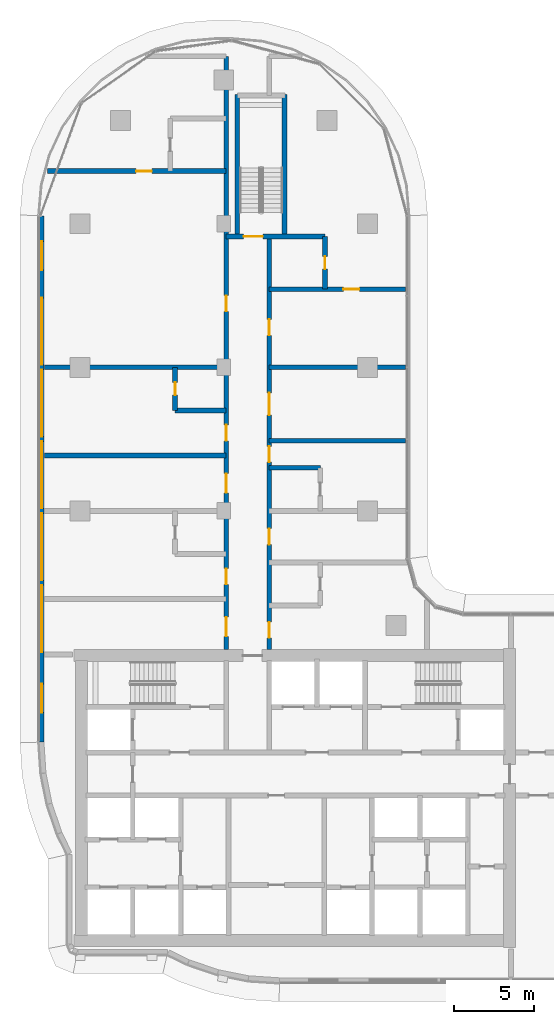
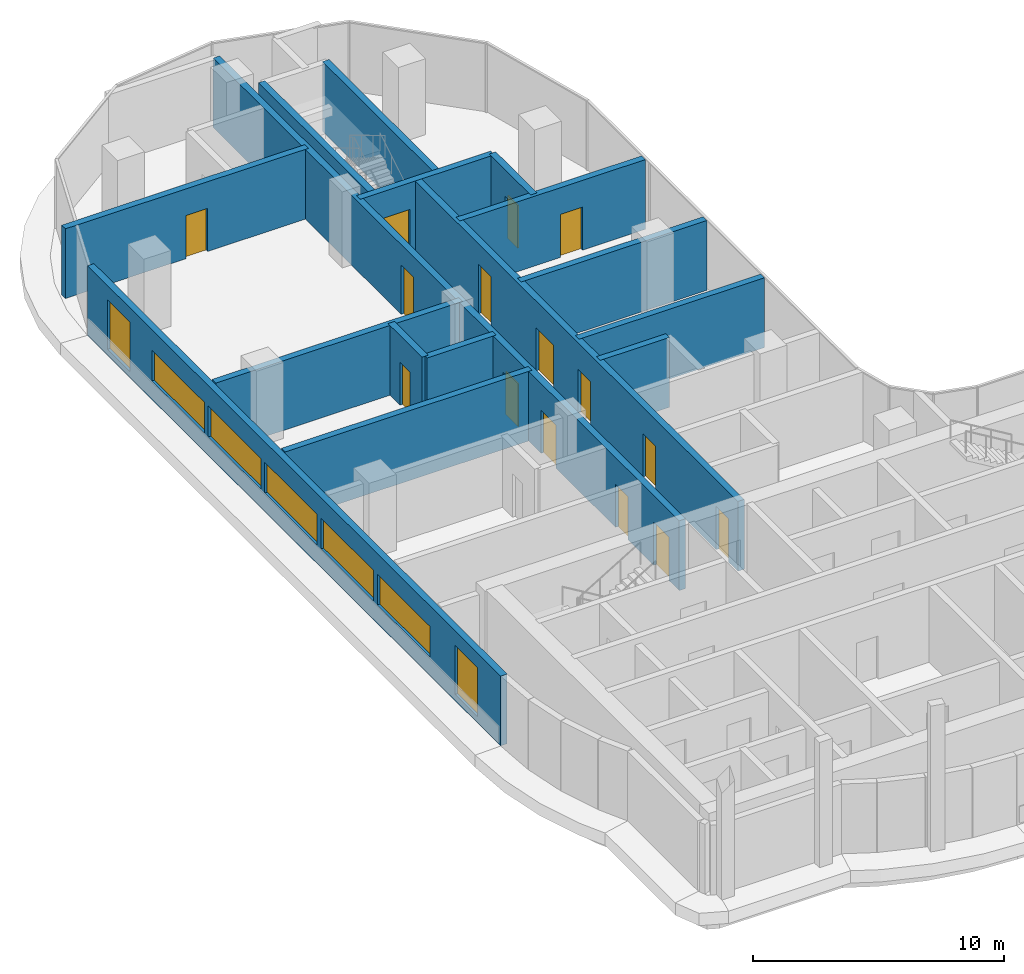
# One storey, part 14 of 25: 16 walls, 15 doors, 7 windows, 22 openings.
"""IFC4 building model written with IfcOpenShell, lengths in metres."""

from ifc_helpers import new_model, si_unit, direction, frame, frame_2d, origin, place, context, subcontext, project, spatial, rectangle, extrude, material, layer, layer_set, type_object, element, fill, save


model = new_model("IFC4")

# Units and contexts
model_context = context("Model", 3, precision=1e-05, world=origin(), true_north=direction((0.0, 1.0)))
body_context = subcontext(model_context, "Body", "Model", "MODEL_VIEW")
ifc_project = project(units=[si_unit("LENGTHUNIT", "METRE"), si_unit("AREAUNIT", "SQUARE_METRE"), si_unit("VOLUMEUNIT", "CUBIC_METRE"), si_unit("PLANEANGLEUNIT", "RADIAN"), si_unit("MASSUNIT", "GRAM", prefix="KILO")], contexts=[model_context])

# Site, building, storey
site_placement = place(None, origin())
site = spatial("IfcSite", under=ifc_project, at=site_placement, CompositionType="ELEMENT")
building_placement = place(site_placement, origin())
building = spatial("IfcBuilding", under=site, at=building_placement, Name="Ogive Portal Towers", CompositionType="ELEMENT")
storey_placement = place(building_placement, frame((0.0, 0.0, 116.699951171875)))
storey = spatial("IfcBuildingStorey", under=building, at=storey_placement, Name="L28", CompositionType="ELEMENT", Elevation=116.699951171875)

# Wall, openings, windows
ifc_material_1 = material(Name="Limestone cladding on lightweight block wall", Category="masonry")
ifc_layer_1 = layer(ifc_material_1, 0.300048828125)
ifc_layer_set_1 = layer_set([ifc_layer_1], Name="EXTERNAL WALL 300 STONE")
wall_type_1 = type_object("IfcWallType", Name="EXTERNAL WALL 300 STONE", PredefinedType="SOLIDWALL", material=ifc_layer_set_1)
wall_1_placement = place(storey_placement, frame((29.074951171875, 66.98583984375, 0.0), z_axis=(0.0, 0.0, 1.0), x_axis=(0.0, -1.0, 0.0)))
wall_1 = element("IfcWall", 1, at=wall_1_placement, inside=storey, type_object=wall_type_1, Name="A:L28:f27:r0:wall", PredefinedType="SOLIDWALL", context=body_context, shape_type="SweptSolid", body=[
    extrude(rectangle(XDim=32.97607421875, YDim=0.300048828125, at=frame_2d((16.488037109375, 0.0))), origin(), (0.0, 0.0, 1.0), 3.400146484375),
])
opening_1_placement = place(wall_1_placement, frame((1.593017578125, 0.0, 0.300048828125)))
opening_1 = element("IfcOpeningElement", 2, at=opening_1_placement, cuts=wall_1, Name="Opening WN10", PredefinedType="OPENING", context=body_context, shape_type="SweptSolid", body=[
    extrude(rectangle(XDim=1.800048828125, YDim=2.39990234375, at=frame_2d((0.89990234375, 1.199951171875))), frame((0.0, 0.16015625, 0.0), z_axis=(0.0, -1.0, 0.0), x_axis=(1.0, 0.0, 0.0)), (0.0, 0.0, 1.0), 0.320068359375),
])
opening_2_placement = place(wall_1_placement, frame((5.135986328125, 0.0, 0.89990234375)))
opening_2 = element("IfcOpeningElement", 3, at=opening_2_placement, cuts=wall_1, Name="Opening WN11", PredefinedType="OPENING", context=body_context, shape_type="SweptSolid", body=[
    extrude(rectangle(XDim=4.199951171875, YDim=1.5, at=frame_2d((2.10009765625, 0.75))), frame((0.0, 0.16015625, 0.0), z_axis=(0.0, -1.0, 0.0), x_axis=(1.0, 0.0, 0.0)), (0.0, 0.0, 1.0), 0.320068359375),
])
opening_3_placement = place(wall_1_placement, frame((9.635986328125, 0.0, 0.89990234375)))
opening_3 = element("IfcOpeningElement", 4, at=opening_3_placement, cuts=wall_1, Name="Opening WN11", PredefinedType="OPENING", context=body_context, shape_type="SweptSolid", body=[
    extrude(rectangle(XDim=4.199951171875, YDim=1.5, at=frame_2d((2.10009765625, 0.75))), frame((0.0, 0.16015625, 0.0), z_axis=(0.0, -1.0, 0.0), x_axis=(1.0, 0.0, 0.0)), (0.0, 0.0, 1.0), 0.320068359375),
])
opening_4_placement = place(wall_1_placement, frame((14.135986328125, 0.0, 0.89990234375)))
opening_4 = element("IfcOpeningElement", 5, at=opening_4_placement, cuts=wall_1, Name="Opening WN11", PredefinedType="OPENING", context=body_context, shape_type="SweptSolid", body=[
    extrude(rectangle(XDim=4.199951171875, YDim=1.5, at=frame_2d((2.10009765625, 0.75))), frame((0.0, 0.16015625, 0.0), z_axis=(0.0, -1.0, 0.0), x_axis=(1.0, 0.0, 0.0)), (0.0, 0.0, 1.0), 0.320068359375),
])
opening_5_placement = place(wall_1_placement, frame((18.635986328125, 0.0, 0.89990234375)))
opening_5 = element("IfcOpeningElement", 6, at=opening_5_placement, cuts=wall_1, Name="Opening WN11", PredefinedType="OPENING", context=body_context, shape_type="SweptSolid", body=[
    extrude(rectangle(XDim=4.199951171875, YDim=1.5, at=frame_2d((2.10009765625, 0.75))), frame((0.0, 0.16015625, 0.0), z_axis=(0.0, -1.0, 0.0), x_axis=(1.0, 0.0, 0.0)), (0.0, 0.0, 1.0), 0.320068359375),
])
opening_6_placement = place(wall_1_placement, frame((23.135986328125, 0.0, 0.89990234375)))
opening_6 = element("IfcOpeningElement", 7, at=opening_6_placement, cuts=wall_1, Name="Opening WN11", PredefinedType="OPENING", context=body_context, shape_type="SweptSolid", body=[
    extrude(rectangle(XDim=4.199951171875, YDim=1.5, at=frame_2d((2.10009765625, 0.75))), frame((0.0, 0.16015625, 0.0), z_axis=(0.0, -1.0, 0.0), x_axis=(1.0, 0.0, 0.0)), (0.0, 0.0, 1.0), 0.320068359375),
])
opening_7_placement = place(wall_1_placement, frame((29.3310546875, 0.0, 0.300048828125)))
opening_7 = element("IfcOpeningElement", 8, at=opening_7_placement, cuts=wall_1, Name="Opening WN10", PredefinedType="OPENING", context=body_context, shape_type="SweptSolid", body=[
    extrude(rectangle(XDim=1.800048828125, YDim=2.39990234375, at=frame_2d((0.89990234375, 1.199951171875))), frame((0.0, 0.16015625, 0.0), z_axis=(0.0, -1.0, 0.0), x_axis=(1.0, 0.0, 0.0)), (0.0, 0.0, 1.0), 0.320068359375),
])
ifc_material_2 = material(Name="Glass, clear low-iron insulated glazing", Category="glass")
window_type_1 = type_object("IfcWindowType", Name="WINDOW RIBBON 4200x1500", PartitioningType="TRIPLE_PANEL_VERTICAL", PredefinedType="WINDOW", material=ifc_material_2)
window_1_placement = place(opening_2_placement, origin())
window_1 = element("IfcWindow", 9, at=window_1_placement, inside=storey, type_object=window_type_1, Name="A:L28:f27:r0:w1", OverallHeight=1.5, OverallWidth=4.199951171875, PartitioningType="SINGLE_PANEL", PredefinedType="WINDOW", context=body_context, shape_type="SweptSolid", body=[
    extrude(rectangle(XDim=4.199951171875, YDim=1.5, at=frame_2d((2.10009765625, 0.75))), frame((0.0, 0.030029296875, 0.0), z_axis=(0.0, -1.0, 0.0), x_axis=(1.0, 0.0, 0.0)), (0.0, 0.0, 1.0), 0.06005859375),
])
fill(opening_2, window_1)
window_2_placement = place(opening_3_placement, origin())
window_2 = element("IfcWindow", 10, at=window_2_placement, inside=storey, type_object=window_type_1, Name="A:L28:f27:r0:w2", OverallHeight=1.5, OverallWidth=4.199951171875, PartitioningType="SINGLE_PANEL", PredefinedType="WINDOW", context=body_context, shape_type="SweptSolid", body=[
    extrude(rectangle(XDim=4.199951171875, YDim=1.5, at=frame_2d((2.10009765625, 0.75))), frame((0.0, 0.030029296875, 0.0), z_axis=(0.0, -1.0, 0.0), x_axis=(1.0, 0.0, 0.0)), (0.0, 0.0, 1.0), 0.06005859375),
])
fill(opening_3, window_2)
window_3_placement = place(opening_4_placement, origin())
window_3 = element("IfcWindow", 11, at=window_3_placement, inside=storey, type_object=window_type_1, Name="A:L28:f27:r0:w3", OverallHeight=1.5, OverallWidth=4.199951171875, PartitioningType="SINGLE_PANEL", PredefinedType="WINDOW", context=body_context, shape_type="SweptSolid", body=[
    extrude(rectangle(XDim=4.199951171875, YDim=1.5, at=frame_2d((2.10009765625, 0.75))), frame((0.0, 0.030029296875, 0.0), z_axis=(0.0, -1.0, 0.0), x_axis=(1.0, 0.0, 0.0)), (0.0, 0.0, 1.0), 0.06005859375),
])
fill(opening_4, window_3)
window_4_placement = place(opening_5_placement, origin())
window_4 = element("IfcWindow", 12, at=window_4_placement, inside=storey, type_object=window_type_1, Name="A:L28:f27:r0:w4", OverallHeight=1.5, OverallWidth=4.199951171875, PartitioningType="SINGLE_PANEL", PredefinedType="WINDOW", context=body_context, shape_type="SweptSolid", body=[
    extrude(rectangle(XDim=4.199951171875, YDim=1.5, at=frame_2d((2.10009765625, 0.75))), frame((0.0, 0.030029296875, 0.0), z_axis=(0.0, -1.0, 0.0), x_axis=(1.0, 0.0, 0.0)), (0.0, 0.0, 1.0), 0.06005859375),
])
fill(opening_5, window_4)
window_5_placement = place(opening_6_placement, origin())
window_5 = element("IfcWindow", 13, at=window_5_placement, inside=storey, type_object=window_type_1, Name="A:L28:f27:r0:w5", OverallHeight=1.5, OverallWidth=4.199951171875, PartitioningType="SINGLE_PANEL", PredefinedType="WINDOW", context=body_context, shape_type="SweptSolid", body=[
    extrude(rectangle(XDim=4.199951171875, YDim=1.5, at=frame_2d((2.10009765625, 0.75))), frame((0.0, 0.030029296875, 0.0), z_axis=(0.0, -1.0, 0.0), x_axis=(1.0, 0.0, 0.0)), (0.0, 0.0, 1.0), 0.06005859375),
])
fill(opening_6, window_5)
window_type_2 = type_object("IfcWindowType", Name="WINDOW SUITE CORNER 1800x2400", PartitioningType="DOUBLE_PANEL_VERTICAL", PredefinedType="WINDOW", material=ifc_material_2)
window_6_placement = place(opening_1_placement, origin())
window_6 = element("IfcWindow", 14, at=window_6_placement, inside=storey, type_object=window_type_2, Name="A:L28:f27:r0:w0", OverallHeight=2.39990234375, OverallWidth=1.800048828125, PartitioningType="SINGLE_PANEL", PredefinedType="WINDOW", context=body_context, shape_type="SweptSolid", body=[
    extrude(rectangle(XDim=1.800048828125, YDim=2.39990234375, at=frame_2d((0.89990234375, 1.199951171875))), frame((0.0, 0.030029296875, 0.0), z_axis=(0.0, -1.0, 0.0), x_axis=(1.0, 0.0, 0.0)), (0.0, 0.0, 1.0), 0.06005859375),
])
fill(opening_1, window_6)
window_7_placement = place(opening_7_placement, origin())
window_7 = element("IfcWindow", 15, at=window_7_placement, inside=storey, type_object=window_type_2, Name="A:L28:f27:r0:w6", OverallHeight=2.39990234375, OverallWidth=1.800048828125, PartitioningType="SINGLE_PANEL", PredefinedType="WINDOW", context=body_context, shape_type="SweptSolid", body=[
    extrude(rectangle(XDim=1.800048828125, YDim=2.39990234375, at=frame_2d((0.89990234375, 1.199951171875))), frame((0.0, 0.030029296875, 0.0), z_axis=(0.0, -1.0, 0.0), x_axis=(1.0, 0.0, 0.0)), (0.0, 0.0, 1.0), 0.06005859375),
])
fill(opening_7, window_7)

# Wall, opening, door
ifc_material_3 = material(Name="Concrete C50/60", Category="concrete")
ifc_layer_2 = layer(ifc_material_3, 0.300048828125)
ifc_layer_set_2 = layer_set([ifc_layer_2], Name="STAIR WALL 300 C50")
wall_type_2 = type_object("IfcWallType", Name="STAIR WALL 300 C50", PredefinedType="SHEAR", material=ifc_layer_set_2)
wall_2_placement = place(storey_placement, frame((40.64990234375, 65.699951171875, 0.0), z_axis=(0.0, 0.0, 1.0), x_axis=(1.0, 0.0, 0.0)))
wall_2 = element("IfcWall", 16, at=wall_2_placement, inside=storey, type_object=wall_type_2, Name="Stair wall ST-A3 L28", PredefinedType="SHEAR", context=body_context, shape_type="SweptSolid", body=[
    extrude(rectangle(XDim=6.2001953125, YDim=0.300048828125, at=frame_2d((3.10009765625, 0.0))), origin(), (0.0, 0.0, 1.0), 3.400146484375),
])
opening_8_placement = place(wall_2_placement, frame((1.10009765625, 0.0, 0.0)))
opening_8 = element("IfcOpeningElement", 17, at=opening_8_placement, cuts=wall_2, Name="Opening D10-066", PredefinedType="OPENING", context=body_context, shape_type="SweptSolid", body=[
    extrude(rectangle(XDim=1.199951171875, YDim=2.10009765625, at=frame_2d((0.60009765625, 1.050048828125))), frame((0.0, 0.16015625, 0.0), z_axis=(0.0, -1.0, 0.0), x_axis=(1.0, 0.0, 0.0)), (0.0, 0.0, 1.0), 0.320068359375),
])
ifc_material_4 = material(Name="Steel fire door", Category="steel")
door_type_1 = type_object("IfcDoorType", Name="DT-STAIR-1200x2100-FD90S", OperationType="SINGLE_SWING_LEFT", PredefinedType="DOOR", material=ifc_material_4)
door_1_placement = place(opening_8_placement, origin())
door_1 = element("IfcDoor", 18, at=door_1_placement, inside=storey, type_object=door_type_1, Name="Door D10-066", OperationType="SINGLE_SWING_RIGHT", OverallHeight=2.10009765625, OverallWidth=1.199951171875, PredefinedType="DOOR", context=body_context, shape_type="SweptSolid", body=[
    extrude(rectangle(XDim=1.199951171875, YDim=2.10009765625, at=frame_2d((0.60009765625, 1.050048828125))), frame((0.0, 0.02490234375, 0.0), z_axis=(0.0, -1.0, 0.0), x_axis=(1.0, 0.0, 0.0)), (0.0, 0.0, 1.0), 0.050048828125),
])
fill(opening_8, door_1)

# Walls
wall_3_placement = place(storey_placement, frame((41.35009765625, 65.75, 0.0), z_axis=(0.0, 0.0, 1.0), x_axis=(0.0, 1.0, 0.0)))
element("IfcWall", 19, at=wall_3_placement, inside=storey, type_object=wall_type_2, Name="Stair wall ST-A3 L28", PredefinedType="SHEAR", context=body_context, shape_type="SweptSolid", body=[
    extrude(rectangle(XDim=8.85009765625, YDim=0.300048828125, at=frame_2d((4.425048828125, 0.0))), origin(), (0.0, 0.0, 1.0), 3.400146484375),
])
wall_4_placement = place(storey_placement, frame((44.300048828125, 65.699951171875, 0.0), z_axis=(0.0, 0.0, 1.0), x_axis=(0.0, 1.0, 0.0)))
element("IfcWall", 20, at=wall_4_placement, inside=storey, type_object=wall_type_2, Name="Stair wall ST-A3 L28", PredefinedType="SHEAR", context=body_context, shape_type="SweptSolid", body=[
    extrude(rectangle(XDim=8.900146484375, YDim=0.300048828125, at=frame_2d((4.4501953125, 0.0))), origin(), (0.0, 0.0, 1.0), 3.400146484375),
])
ifc_material_5 = material(Name="Gypsum board partition on steel studs", Category="steel")
ifc_layer_3 = layer(ifc_material_5, 0.300048828125)
ifc_layer_set_3 = layer_set([ifc_layer_3], Name="WT-PART-300-EI 60")
wall_type_3 = type_object("IfcWallType", Name="WT-PART-300-EI 60", PredefinedType="PARTITIONING", material=ifc_layer_set_3)
wall_5_placement = place(storey_placement, frame((43.35009765625, 51.199951171875, 0.0), z_axis=(0.0, 0.0, 1.0), x_axis=(1.0, 0.0, 0.0)))
element("IfcWall", 21, at=wall_5_placement, inside=storey, type_object=wall_type_3, Name="Wall L28:w021", PredefinedType="PARTITIONING", context=body_context, shape_type="SweptSolid", body=[
    extrude(rectangle(XDim=3.199951171875, YDim=0.300048828125, at=frame_2d((1.60009765625, 0.0))), origin(), (0.0, 0.0, 1.0), 3.400146484375),
])
wall_6_placement = place(storey_placement, frame((29.27490234375, 51.969970703125, 0.0), z_axis=(0.0, 0.0, 1.0), x_axis=(1.0, 0.0, 0.0)))
element("IfcWall", 22, at=wall_6_placement, inside=storey, type_object=wall_type_3, Name="Wall L28:w022", PredefinedType="PARTITIONING", context=body_context, shape_type="SweptSolid", body=[
    extrude(rectangle(XDim=11.375, YDim=0.300048828125, at=frame_2d((5.6875, 0.0))), origin(), (0.0, 0.0, 1.0), 3.400146484375),
])
wall_7_placement = place(storey_placement, frame((43.35009765625, 52.89990234375, 0.0), z_axis=(0.0, 0.0, 1.0), x_axis=(1.0, 0.0, 0.0)))
element("IfcWall", 23, at=wall_7_placement, inside=storey, type_object=wall_type_3, Name="Wall L28:w023", PredefinedType="PARTITIONING", context=body_context, shape_type="SweptSolid", body=[
    extrude(rectangle(XDim=8.554931640625, YDim=0.300048828125, at=frame_2d((4.27734375, 0.0))), origin(), (0.0, 0.0, 1.0), 3.400146484375),
])
wall_8_placement = place(storey_placement, frame((37.449951171875, 54.800048828125, 0.0), z_axis=(0.0, 0.0, 1.0), x_axis=(1.0, 0.0, 0.0)))
element("IfcWall", 24, at=wall_8_placement, inside=storey, type_object=wall_type_3, Name="Wall L28:w024", PredefinedType="PARTITIONING", context=body_context, shape_type="SweptSolid", body=[
    extrude(rectangle(XDim=3.199951171875, YDim=0.300048828125, at=frame_2d((1.60009765625, 0.0))), origin(), (0.0, 0.0, 1.0), 3.400146484375),
])
wall_9_placement = place(storey_placement, frame((29.27490234375, 57.5, 0.0), z_axis=(0.0, 0.0, 1.0), x_axis=(1.0, 0.0, 0.0)))
element("IfcWall", 25, at=wall_9_placement, inside=storey, type_object=wall_type_3, Name="Wall L28:w025", PredefinedType="PARTITIONING", context=body_context, shape_type="SweptSolid", body=[
    extrude(rectangle(XDim=11.375, YDim=0.300048828125, at=frame_2d((5.6875, 0.0))), origin(), (0.0, 0.0, 1.0), 3.400146484375),
])
wall_10_placement = place(storey_placement, frame((43.35009765625, 57.5, 0.0), z_axis=(0.0, 0.0, 1.0), x_axis=(1.0, 0.0, 0.0)))
element("IfcWall", 26, at=wall_10_placement, inside=storey, type_object=wall_type_3, Name="Wall L28:w026", PredefinedType="PARTITIONING", context=body_context, shape_type="SweptSolid", body=[
    extrude(rectangle(XDim=8.554931640625, YDim=0.300048828125, at=frame_2d((4.27734375, 0.0))), origin(), (0.0, 0.0, 1.0), 3.400146484375),
])

# Wall, opening, door
wall_11_placement = place(storey_placement, frame((43.35009765625, 62.39990234375, 0.0), z_axis=(0.0, 0.0, 1.0), x_axis=(1.0, 0.0, 0.0)))
wall_11 = element("IfcWall", 27, at=wall_11_placement, inside=storey, type_object=wall_type_3, Name="Wall L28:w027", PredefinedType="PARTITIONING", context=body_context, shape_type="SweptSolid", body=[
    extrude(rectangle(XDim=8.554931640625, YDim=0.300048828125, at=frame_2d((4.27734375, 0.0))), origin(), (0.0, 0.0, 1.0), 3.400146484375),
])
opening_9_placement = place(wall_11_placement, frame((4.64990234375, 0.0, 0.0)))
opening_9 = element("IfcOpeningElement", 28, at=opening_9_placement, cuts=wall_11, Name="Opening D10-057", PredefinedType="OPENING", context=body_context, shape_type="SweptSolid", body=[
    extrude(rectangle(XDim=1.0, YDim=2.10009765625, at=frame_2d((0.5, 1.050048828125))), frame((0.0, 0.16015625, 0.0), z_axis=(0.0, -1.0, 0.0), x_axis=(1.0, 0.0, 0.0)), (0.0, 0.0, 1.0), 0.320068359375),
])
door_type_2 = type_object("IfcDoorType", Name="DT-ENTRY-1000x2100-FD60S", OperationType="SINGLE_SWING_LEFT", PredefinedType="DOOR", material=ifc_material_4)
door_2_placement = place(opening_9_placement, origin())
door_2 = element("IfcDoor", 29, at=door_2_placement, inside=storey, type_object=door_type_2, Name="Door D10-057", OperationType="SINGLE_SWING_LEFT", OverallHeight=2.10009765625, OverallWidth=1.0, PredefinedType="DOOR", context=body_context, shape_type="SweptSolid", body=[
    extrude(rectangle(XDim=1.0, YDim=2.10009765625, at=frame_2d((0.5, 1.050048828125))), frame((0.0, 0.02490234375, 0.0), z_axis=(0.0, -1.0, 0.0), x_axis=(1.0, 0.0, 0.0)), (0.0, 0.0, 1.0), 0.050048828125),
])
fill(opening_9, door_2)

wall_12_placement = place(storey_placement, frame((29.44189453125, 69.800048828125, 0.0), z_axis=(0.0, 0.0, 1.0), x_axis=(1.0, 0.0, 0.0)))
wall_12 = element("IfcWall", 30, at=wall_12_placement, inside=storey, type_object=wall_type_3, Name="Wall L28:w029", PredefinedType="PARTITIONING", context=body_context, shape_type="SweptSolid", body=[
    extrude(rectangle(XDim=11.2080078125, YDim=0.300048828125, at=frame_2d((5.60400390625, 0.0))), origin(), (0.0, 0.0, 1.0), 3.400146484375),
])
opening_10_placement = place(wall_12_placement, frame((5.55810546875, 0.0, 0.0)))
opening_10 = element("IfcOpeningElement", 31, at=opening_10_placement, cuts=wall_12, Name="Opening D10-060", PredefinedType="OPENING", context=body_context, shape_type="SweptSolid", body=[
    extrude(rectangle(XDim=1.0, YDim=2.10009765625, at=frame_2d((0.5, 1.050048828125))), frame((0.0, 0.16015625, 0.0), z_axis=(0.0, -1.0, 0.0), x_axis=(1.0, 0.0, 0.0)), (0.0, 0.0, 1.0), 0.320068359375),
])
door_3_placement = place(opening_10_placement, origin())
door_3 = element("IfcDoor", 32, at=door_3_placement, inside=storey, type_object=door_type_2, Name="Door D10-060", OperationType="SINGLE_SWING_LEFT", OverallHeight=2.10009765625, OverallWidth=1.0, PredefinedType="DOOR", context=body_context, shape_type="SweptSolid", body=[
    extrude(rectangle(XDim=1.0, YDim=2.10009765625, at=frame_2d((0.5, 1.050048828125))), frame((0.0, 0.02490234375, 0.0), z_axis=(0.0, -1.0, 0.0), x_axis=(1.0, 0.0, 0.0)), (0.0, 0.0, 1.0), 0.050048828125),
])
fill(opening_10, door_3)

wall_13_placement = place(storey_placement, frame((37.449951171875, 54.800048828125, 0.0), z_axis=(0.0, 0.0, 1.0), x_axis=(0.0, 1.0, 0.0)))
wall_13 = element("IfcWall", 33, at=wall_13_placement, inside=storey, type_object=wall_type_3, Name="Wall L28:w036", PredefinedType="PARTITIONING", context=body_context, shape_type="SweptSolid", body=[
    extrude(rectangle(XDim=2.699951171875, YDim=0.300048828125, at=frame_2d((1.35009765625, 0.0))), origin(), (0.0, 0.0, 1.0), 3.400146484375),
])
opening_11_placement = place(wall_13_placement, frame((0.949951171875, 0.0, 0.0)))
opening_11 = element("IfcOpeningElement", 34, at=opening_11_placement, cuts=wall_13, Name="Opening D10-054", PredefinedType="OPENING", context=body_context, shape_type="SweptSolid", body=[
    extrude(rectangle(XDim=0.800048828125, YDim=2.10009765625, at=frame_2d((0.39990234375, 1.050048828125))), frame((0.0, 0.16015625, 0.0), z_axis=(0.0, -1.0, 0.0), x_axis=(1.0, 0.0, 0.0)), (0.0, 0.0, 1.0), 0.320068359375),
])
door_type_3 = type_object("IfcDoorType", Name="DT-BATH-800x2100-FD60S", OperationType="SINGLE_SWING_LEFT", PredefinedType="DOOR", material=ifc_material_4)
door_4_placement = place(opening_11_placement, origin())
door_4 = element("IfcDoor", 35, at=door_4_placement, inside=storey, type_object=door_type_3, Name="Door D10-054", OperationType="SINGLE_SWING_RIGHT", OverallHeight=2.10009765625, OverallWidth=0.800048828125, PredefinedType="DOOR", context=body_context, shape_type="SweptSolid", body=[
    extrude(rectangle(XDim=0.800048828125, YDim=2.10009765625, at=frame_2d((0.39990234375, 1.050048828125))), frame((0.0, 0.02490234375, 0.0), z_axis=(0.0, -1.0, 0.0), x_axis=(1.0, 0.0, 0.0)), (0.0, 0.0, 1.0), 0.050048828125),
])
fill(opening_11, door_4)

# Wall, openings, doors
wall_14_placement = place(storey_placement, frame((40.64990234375, 39.800048828125, 0.0), z_axis=(0.0, 0.0, 1.0), x_axis=(0.0, 1.0, 0.0)))
wall_14 = element("IfcWall", 36, at=wall_14_placement, inside=storey, type_object=wall_type_3, Name="Wall L28:w037", PredefinedType="PARTITIONING", context=body_context, shape_type="SweptSolid", body=[
    extrude(rectangle(XDim=37.199951171875, YDim=0.300048828125, at=frame_2d((18.60009765625, 0.0))), origin(), (0.0, 0.0, 1.0), 3.400146484375),
])
opening_12_placement = place(wall_14_placement, frame((0.8349609375, 0.0, 0.0)))
opening_12 = element("IfcOpeningElement", 37, at=opening_12_placement, cuts=wall_14, Name="Opening D10-047", PredefinedType="OPENING", context=body_context, shape_type="SweptSolid", body=[
    extrude(rectangle(XDim=1.199951171875, YDim=2.10009765625, at=frame_2d((0.60009765625, 1.050048828125))), frame((0.0, 0.16015625, 0.0), z_axis=(0.0, -1.0, 0.0), x_axis=(1.0, 0.0, 0.0)), (0.0, 0.0, 1.0), 0.320068359375),
])
opening_13_placement = place(wall_14_placement, frame((4.0849609375, 0.0, 0.0)))
opening_13 = element("IfcOpeningElement", 38, at=opening_13_placement, cuts=wall_14, Name="Opening D10-049", PredefinedType="OPENING", context=body_context, shape_type="SweptSolid", body=[
    extrude(rectangle(XDim=1.0, YDim=2.10009765625, at=frame_2d((0.5, 1.050048828125))), frame((0.0, 0.16015625, 0.0), z_axis=(0.0, -1.0, 0.0), x_axis=(1.0, 0.0, 0.0)), (0.0, 0.0, 1.0), 0.320068359375),
])
opening_14_placement = place(wall_14_placement, frame((9.8349609375, 0.0, 0.0)))
opening_14 = element("IfcOpeningElement", 39, at=opening_14_placement, cuts=wall_14, Name="Opening D10-053", PredefinedType="OPENING", context=body_context, shape_type="SweptSolid", body=[
    extrude(rectangle(XDim=1.199951171875, YDim=2.10009765625, at=frame_2d((0.60009765625, 1.050048828125))), frame((0.0, 0.16015625, 0.0), z_axis=(0.0, -1.0, 0.0), x_axis=(1.0, 0.0, 0.0)), (0.0, 0.0, 1.0), 0.320068359375),
])
opening_15_placement = place(wall_14_placement, frame((13.0849609375, 0.0, 0.0)))
opening_15 = element("IfcOpeningElement", 40, at=opening_15_placement, cuts=wall_14, Name="Opening D10-055", PredefinedType="OPENING", context=body_context, shape_type="SweptSolid", body=[
    extrude(rectangle(XDim=1.0, YDim=2.10009765625, at=frame_2d((0.5, 1.050048828125))), frame((0.0, 0.16015625, 0.0), z_axis=(0.0, -1.0, 0.0), x_axis=(1.0, 0.0, 0.0)), (0.0, 0.0, 1.0), 0.320068359375),
])
opening_16_placement = place(wall_14_placement, frame((21.199951171875, 0.0, 0.0)))
opening_16 = element("IfcOpeningElement", 41, at=opening_16_placement, cuts=wall_14, Name="Opening D10-059", PredefinedType="OPENING", context=body_context, shape_type="SweptSolid", body=[
    extrude(rectangle(XDim=1.0, YDim=2.39990234375, at=frame_2d((0.5, 1.199951171875))), frame((0.0, 0.16015625, 0.0), z_axis=(0.0, -1.0, 0.0), x_axis=(1.0, 0.0, 0.0)), (0.0, 0.0, 1.0), 0.320068359375),
])
door_5_placement = place(opening_13_placement, origin())
door_5 = element("IfcDoor", 42, at=door_5_placement, inside=storey, type_object=door_type_2, Name="Door D10-049", OperationType="SINGLE_SWING_LEFT", OverallHeight=2.10009765625, OverallWidth=1.0, PredefinedType="DOOR", context=body_context, shape_type="SweptSolid", body=[
    extrude(rectangle(XDim=1.0, YDim=2.10009765625, at=frame_2d((0.5, 1.050048828125))), frame((0.0, 0.02490234375, 0.0), z_axis=(0.0, -1.0, 0.0), x_axis=(1.0, 0.0, 0.0)), (0.0, 0.0, 1.0), 0.050048828125),
])
fill(opening_13, door_5)
door_6_placement = place(opening_15_placement, origin())
door_6 = element("IfcDoor", 43, at=door_6_placement, inside=storey, type_object=door_type_2, Name="Door D10-055", OperationType="SINGLE_SWING_LEFT", OverallHeight=2.10009765625, OverallWidth=1.0, PredefinedType="DOOR", context=body_context, shape_type="SweptSolid", body=[
    extrude(rectangle(XDim=1.0, YDim=2.10009765625, at=frame_2d((0.5, 1.050048828125))), frame((0.0, 0.02490234375, 0.0), z_axis=(0.0, -1.0, 0.0), x_axis=(1.0, 0.0, 0.0)), (0.0, 0.0, 1.0), 0.050048828125),
])
fill(opening_15, door_6)
door_type_4 = type_object("IfcDoorType", Name="DT-ENTRY-1000x2400-FD60S", OperationType="SINGLE_SWING_LEFT", PredefinedType="DOOR", material=ifc_material_4)
door_7_placement = place(opening_16_placement, origin())
door_7 = element("IfcDoor", 44, at=door_7_placement, inside=storey, type_object=door_type_4, Name="Door D10-059", OperationType="SINGLE_SWING_LEFT", OverallHeight=2.39990234375, OverallWidth=1.0, PredefinedType="DOOR", context=body_context, shape_type="SweptSolid", body=[
    extrude(rectangle(XDim=1.0, YDim=2.39990234375, at=frame_2d((0.5, 1.199951171875))), frame((0.0, 0.02490234375, 0.0), z_axis=(0.0, -1.0, 0.0), x_axis=(1.0, 0.0, 0.0)), (0.0, 0.0, 1.0), 0.050048828125),
])
fill(opening_16, door_7)
door_type_5 = type_object("IfcDoorType", Name="DT-ENTRY-1200x2100-FD60S", OperationType="SINGLE_SWING_LEFT", PredefinedType="DOOR", material=ifc_material_4)
door_8_placement = place(opening_12_placement, origin())
door_8 = element("IfcDoor", 45, at=door_8_placement, inside=storey, type_object=door_type_5, Name="Door D10-047", OperationType="SINGLE_SWING_LEFT", OverallHeight=2.10009765625, OverallWidth=1.199951171875, PredefinedType="DOOR", context=body_context, shape_type="SweptSolid", body=[
    extrude(rectangle(XDim=1.199951171875, YDim=2.10009765625, at=frame_2d((0.60009765625, 1.050048828125))), frame((0.0, 0.02490234375, 0.0), z_axis=(0.0, -1.0, 0.0), x_axis=(1.0, 0.0, 0.0)), (0.0, 0.0, 1.0), 0.050048828125),
])
fill(opening_12, door_8)
door_9_placement = place(opening_14_placement, origin())
door_9 = element("IfcDoor", 46, at=door_9_placement, inside=storey, type_object=door_type_5, Name="Door D10-053", OperationType="SINGLE_SWING_LEFT", OverallHeight=2.10009765625, OverallWidth=1.199951171875, PredefinedType="DOOR", context=body_context, shape_type="SweptSolid", body=[
    extrude(rectangle(XDim=1.199951171875, YDim=2.10009765625, at=frame_2d((0.60009765625, 1.050048828125))), frame((0.0, 0.02490234375, 0.0), z_axis=(0.0, -1.0, 0.0), x_axis=(1.0, 0.0, 0.0)), (0.0, 0.0, 1.0), 0.050048828125),
])
fill(opening_14, door_9)

# Wall, opening, door
wall_15_placement = place(storey_placement, frame((46.85009765625, 62.39990234375, 0.0), z_axis=(0.0, 0.0, 1.0), x_axis=(0.0, 1.0, 0.0)))
wall_15 = element("IfcWall", 47, at=wall_15_placement, inside=storey, type_object=wall_type_3, Name="Wall L28:w044", PredefinedType="PARTITIONING", context=body_context, shape_type="SweptSolid", body=[
    extrude(rectangle(XDim=3.300048828125, YDim=0.300048828125, at=frame_2d((1.64990234375, 0.0))), origin(), (0.0, 0.0, 1.0), 3.400146484375),
])
opening_17_placement = place(wall_15_placement, frame((1.25, 0.0, 0.0)))
opening_17 = element("IfcOpeningElement", 48, at=opening_17_placement, cuts=wall_15, Name="Opening D10-058", PredefinedType="OPENING", context=body_context, shape_type="SweptSolid", body=[
    extrude(rectangle(XDim=0.800048828125, YDim=2.10009765625, at=frame_2d((0.39990234375, 1.050048828125))), frame((0.0, 0.16015625, 0.0), z_axis=(0.0, -1.0, 0.0), x_axis=(1.0, 0.0, 0.0)), (0.0, 0.0, 1.0), 0.320068359375),
])
door_10_placement = place(opening_17_placement, origin())
door_10 = element("IfcDoor", 49, at=door_10_placement, inside=storey, type_object=door_type_3, Name="Door D10-058", OperationType="SINGLE_SWING_RIGHT", OverallHeight=2.10009765625, OverallWidth=0.800048828125, PredefinedType="DOOR", context=body_context, shape_type="SweptSolid", body=[
    extrude(rectangle(XDim=0.800048828125, YDim=2.10009765625, at=frame_2d((0.39990234375, 1.050048828125))), frame((0.0, 0.02490234375, 0.0), z_axis=(0.0, -1.0, 0.0), x_axis=(1.0, 0.0, 0.0)), (0.0, 0.0, 1.0), 0.050048828125),
])
fill(opening_17, door_10)

# Wall, openings, doors
ifc_material_6 = material(Name="Concrete C40/50", Category="concrete")
ifc_layer_4 = layer(ifc_material_6, 0.300048828125)
ifc_layer_set_4 = layer_set([ifc_layer_4], Name="WT-SHAFT-300")
wall_type_4 = type_object("IfcWallType", Name="WT-SHAFT-300", PredefinedType="SOLIDWALL", material=ifc_layer_set_4)
wall_16_placement = place(storey_placement, frame((43.35009765625, 39.800048828125, 0.0), z_axis=(0.0, 0.0, 1.0), x_axis=(0.0, 1.0, 0.0)))
wall_16 = element("IfcWall", 50, at=wall_16_placement, inside=storey, type_object=wall_type_4, Name="Wall L28:w039", PredefinedType="SOLIDWALL", context=body_context, shape_type="SweptSolid", body=[
    extrude(rectangle(XDim=25.949951171875, YDim=0.300048828125, at=frame_2d((12.97509765625, 0.0))), origin(), (0.0, 0.0, 1.0), 3.400146484375),
])
opening_18_placement = place(wall_16_placement, frame((0.72998046875, 0.0, 0.0)))
opening_18 = element("IfcOpeningElement", 51, at=opening_18_placement, cuts=wall_16, Name="Opening D10-045", PredefinedType="OPENING", context=body_context, shape_type="SweptSolid", body=[
    extrude(rectangle(XDim=1.0, YDim=2.10009765625, at=frame_2d((0.5, 1.050048828125))), frame((0.0, 0.16015625, 0.0), z_axis=(0.0, -1.0, 0.0), x_axis=(1.0, 0.0, 0.0)), (0.0, 0.0, 1.0), 0.320068359375),
])
opening_19_placement = place(wall_16_placement, frame((6.580078125, 0.0, 0.0)))
opening_19 = element("IfcOpeningElement", 52, at=opening_19_placement, cuts=wall_16, Name="Opening D10-046", PredefinedType="OPENING", context=body_context, shape_type="SweptSolid", body=[
    extrude(rectangle(XDim=1.0, YDim=2.10009765625, at=frame_2d((0.5, 1.050048828125))), frame((0.0, 0.16015625, 0.0), z_axis=(0.0, -1.0, 0.0), x_axis=(1.0, 0.0, 0.0)), (0.0, 0.0, 1.0), 0.320068359375),
])
opening_20_placement = place(wall_16_placement, frame((11.75, 0.0, 0.0)))
opening_20 = element("IfcOpeningElement", 53, at=opening_20_placement, cuts=wall_16, Name="Opening D10-051", PredefinedType="OPENING", context=body_context, shape_type="SweptSolid", body=[
    extrude(rectangle(XDim=1.0, YDim=2.10009765625, at=frame_2d((0.5, 1.050048828125))), frame((0.0, 0.16015625, 0.0), z_axis=(0.0, -1.0, 0.0), x_axis=(1.0, 0.0, 0.0)), (0.0, 0.0, 1.0), 0.320068359375),
])
opening_21_placement = place(wall_16_placement, frame((14.699951171875, 0.0, 0.0)))
opening_21 = element("IfcOpeningElement", 54, at=opening_21_placement, cuts=wall_16, Name="Opening D10-052", PredefinedType="OPENING", context=body_context, shape_type="SweptSolid", body=[
    extrude(rectangle(XDim=1.39990234375, YDim=2.10009765625, at=frame_2d((0.699951171875, 1.050048828125))), frame((0.0, 0.16015625, 0.0), z_axis=(0.0, -1.0, 0.0), x_axis=(1.0, 0.0, 0.0)), (0.0, 0.0, 1.0), 0.320068359375),
])
opening_22_placement = place(wall_16_placement, frame((19.699951171875, 0.0, 0.0)))
opening_22 = element("IfcOpeningElement", 55, at=opening_22_placement, cuts=wall_16, Name="Opening D10-056", PredefinedType="OPENING", context=body_context, shape_type="SweptSolid", body=[
    extrude(rectangle(XDim=1.0, YDim=2.39990234375, at=frame_2d((0.5, 1.199951171875))), frame((0.0, 0.16015625, 0.0), z_axis=(0.0, -1.0, 0.0), x_axis=(1.0, 0.0, 0.0)), (0.0, 0.0, 1.0), 0.320068359375),
])
door_type_6 = type_object("IfcDoorType", Name="DT-ENTRY-1000x2100-FD90S", OperationType="SINGLE_SWING_LEFT", PredefinedType="DOOR", material=ifc_material_4)
door_11_placement = place(opening_18_placement, origin())
door_11 = element("IfcDoor", 56, at=door_11_placement, inside=storey, type_object=door_type_6, Name="Door D10-045", OperationType="SINGLE_SWING_LEFT", OverallHeight=2.10009765625, OverallWidth=1.0, PredefinedType="DOOR", context=body_context, shape_type="SweptSolid", body=[
    extrude(rectangle(XDim=1.0, YDim=2.10009765625, at=frame_2d((0.5, 1.050048828125))), frame((0.0, 0.02490234375, 0.0), z_axis=(0.0, -1.0, 0.0), x_axis=(1.0, 0.0, 0.0)), (0.0, 0.0, 1.0), 0.050048828125),
])
fill(opening_18, door_11)
door_12_placement = place(opening_19_placement, origin())
door_12 = element("IfcDoor", 57, at=door_12_placement, inside=storey, type_object=door_type_6, Name="Door D10-046", OperationType="SINGLE_SWING_RIGHT", OverallHeight=2.10009765625, OverallWidth=1.0, PredefinedType="DOOR", context=body_context, shape_type="SweptSolid", body=[
    extrude(rectangle(XDim=1.0, YDim=2.10009765625, at=frame_2d((0.5, 1.050048828125))), frame((0.0, 0.02490234375, 0.0), z_axis=(0.0, -1.0, 0.0), x_axis=(1.0, 0.0, 0.0)), (0.0, 0.0, 1.0), 0.050048828125),
])
fill(opening_19, door_12)
door_13_placement = place(opening_20_placement, origin())
door_13 = element("IfcDoor", 58, at=door_13_placement, inside=storey, type_object=door_type_6, Name="Door D10-051", OperationType="SINGLE_SWING_LEFT", OverallHeight=2.10009765625, OverallWidth=1.0, PredefinedType="DOOR", context=body_context, shape_type="SweptSolid", body=[
    extrude(rectangle(XDim=1.0, YDim=2.10009765625, at=frame_2d((0.5, 1.050048828125))), frame((0.0, 0.02490234375, 0.0), z_axis=(0.0, -1.0, 0.0), x_axis=(1.0, 0.0, 0.0)), (0.0, 0.0, 1.0), 0.050048828125),
])
fill(opening_20, door_13)
door_type_7 = type_object("IfcDoorType", Name="DT-ENTRY-1000x2400-FD90S", OperationType="SINGLE_SWING_LEFT", PredefinedType="DOOR", material=ifc_material_4)
door_14_placement = place(opening_22_placement, origin())
door_14 = element("IfcDoor", 59, at=door_14_placement, inside=storey, type_object=door_type_7, Name="Door D10-056", OperationType="SINGLE_SWING_LEFT", OverallHeight=2.39990234375, OverallWidth=1.0, PredefinedType="DOOR", context=body_context, shape_type="SweptSolid", body=[
    extrude(rectangle(XDim=1.0, YDim=2.39990234375, at=frame_2d((0.5, 1.199951171875))), frame((0.0, 0.02490234375, 0.0), z_axis=(0.0, -1.0, 0.0), x_axis=(1.0, 0.0, 0.0)), (0.0, 0.0, 1.0), 0.050048828125),
])
fill(opening_22, door_14)
door_type_8 = type_object("IfcDoorType", Name="DT-ENTRY-1400x2100-FD90S", OperationType="SINGLE_SWING_LEFT", PredefinedType="DOOR", material=ifc_material_4)
door_15_placement = place(opening_21_placement, origin())
door_15 = element("IfcDoor", 60, at=door_15_placement, inside=storey, type_object=door_type_8, Name="Door D10-052", OperationType="SINGLE_SWING_RIGHT", OverallHeight=2.10009765625, OverallWidth=1.39990234375, PredefinedType="DOOR", context=body_context, shape_type="SweptSolid", body=[
    extrude(rectangle(XDim=1.39990234375, YDim=2.10009765625, at=frame_2d((0.699951171875, 1.050048828125))), frame((0.0, 0.02490234375, 0.0), z_axis=(0.0, -1.0, 0.0), x_axis=(1.0, 0.0, 0.0)), (0.0, 0.0, 1.0), 0.050048828125),
])
fill(opening_21, door_15)

save(model, "model.ifc")
